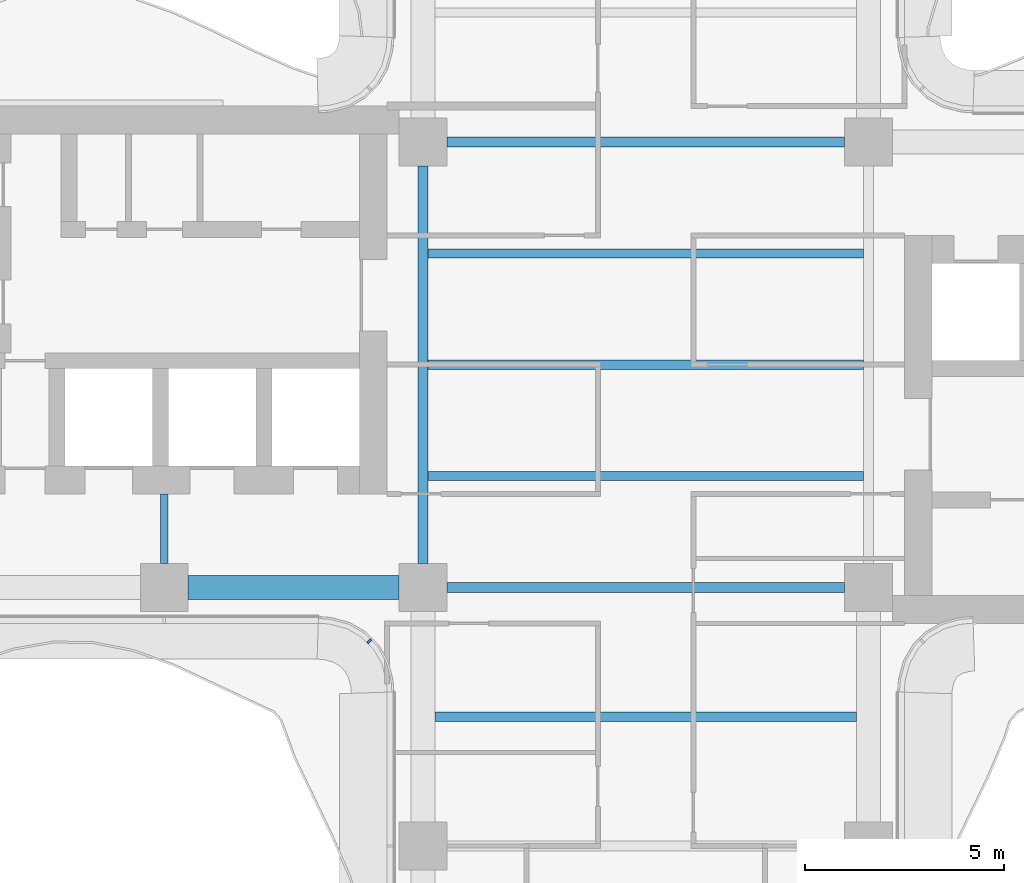
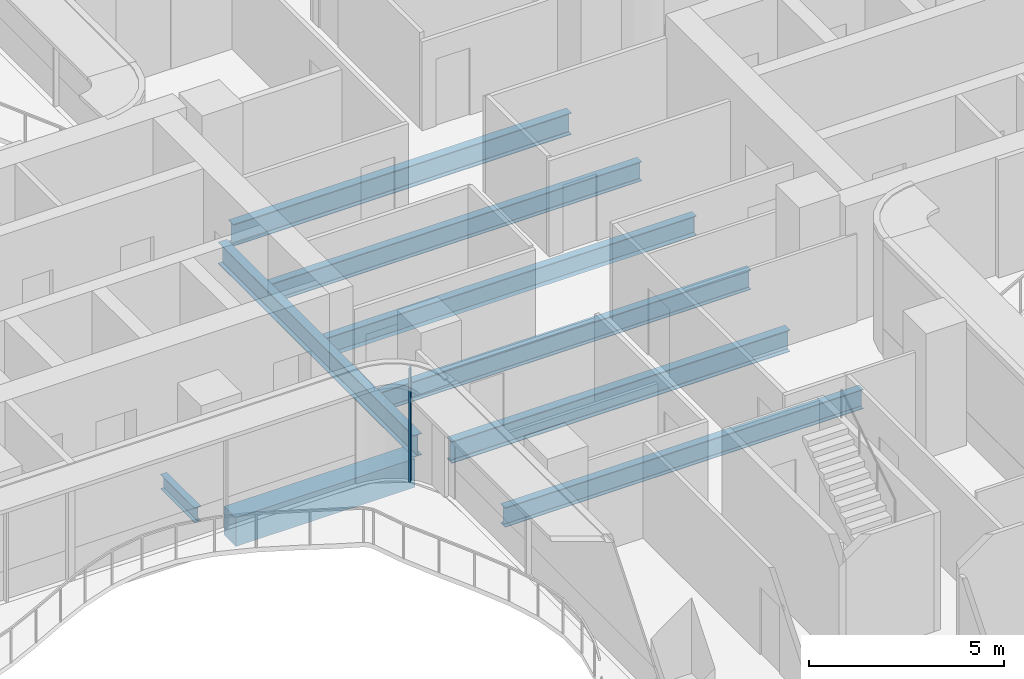
# One storey, part 4 of 18: 9 beams, 1 member, 1 element without a shape of its own.
"""IFC4 building model written with IfcOpenShell, lengths in metres."""

import ifcopenshell
import ifcopenshell.guid

model = None  # the IFC model being written
_history = None  # IfcOwnerHistory: only IFC2X3 demands one
_inside = {}  # id of a spatial element -> (the spatial element, [elements in it])
_under = {}  # id of a project, library or spatial element -> (it, [spatial elements below it])
_declared = {}  # id of a project -> (the project, [libraries it declares])
_typed = {}  # id of a type object -> (the type object, [elements of that type])
_made_of = {}  # id of a material, layer set ... -> (it, [elements and type objects made of it])


def new_model(schema):
    """Start an empty IFC model of exactly this schema.

    Asked for "IFC4X3", IfcOpenShell would pick the latest addendum, in which some entities
    have other attributes; the version numbers below select the first issue.
    IFC2X3 requires an IfcOwnerHistory on every rooted entity: one is made here for all.
    """
    global model, _history
    if schema == "IFC4X3":
        model = ifcopenshell.file(schema_version=(4, 3, 0, 0))
    else:
        model = ifcopenshell.file(schema=schema)
    _inside.clear()
    _under.clear()
    _declared.clear()
    _typed.clear()
    _made_of.clear()
    _history = None
    if model.schema == "IFC2X3":
        org = make("IfcOrganization", Name="unknown")
        user = make(
            "IfcPersonAndOrganization",
            ThePerson=make("IfcPerson", FamilyName="unknown"),
            TheOrganization=org,
        )
        app = make(
            "IfcApplication",
            ApplicationDeveloper=org,
            Version="unknown",
            ApplicationFullName="unknown",
            ApplicationIdentifier="unknown",
        )
        _history = make(
            "IfcOwnerHistory",
            OwningUser=user,
            OwningApplication=app,
            ChangeAction="ADDED",
            CreationDate=0,
        )
    return model


def make(cls, **values):
    """One entity of the class cls with the attributes given. An attribute that is None is left unset."""
    return model.create_entity(
        cls, **{name: value for name, value in values.items() if value is not None}
    )


def rooted(cls, **values):
    """An entity with a GlobalId (a new one), such as an element, a storey or a relation."""
    return make(cls, GlobalId=ifcopenshell.guid.new(), OwnerHistory=_history, **values)


def si_unit(unit_type, name, prefix=None):
    """IfcSIUnit, for example si_unit("LENGTHUNIT", "METRE", prefix="MILLI")."""
    return make("IfcSIUnit", UnitType=unit_type, Prefix=prefix, Name=name)


def assignment(units):
    """IfcUnitAssignment: the units of a project."""
    return None if units is None else make("IfcUnitAssignment", Units=units)


def point(xyz):
    """IfcCartesianPoint."""
    return None if xyz is None else make("IfcCartesianPoint", Coordinates=xyz)


def direction(xyz):
    """IfcDirection."""
    return None if xyz is None else make("IfcDirection", DirectionRatios=xyz)


def frame(location, z_axis=None, x_axis=None):
    """IfcAxis2Placement3D, a coordinate frame: its origin and axes. An axis left out is left unset."""
    return make(
        "IfcAxis2Placement3D",
        Location=point(location),
        Axis=direction(z_axis),
        RefDirection=direction(x_axis),
    )


def frame_2d(location, x_axis=None):
    """IfcAxis2Placement2D, a coordinate frame in the plane: its origin and x axis."""
    return make(
        "IfcAxis2Placement2D", Location=point(location), RefDirection=direction(x_axis)
    )


def origin():
    """The frame at (0, 0, 0) with its axes left unset."""
    return frame((0.0, 0.0, 0.0))


def origin_2d():
    """The frame at (0, 0) in the plane with its x axis left unset."""
    return frame_2d((0.0, 0.0))


def place(relative_to, where):
    """IfcLocalPlacement: puts the frame where relative to a parent placement (None: the world)."""
    return make(
        "IfcLocalPlacement", PlacementRelTo=relative_to, RelativePlacement=where
    )


def context(
    kind, dimensions, precision=None, world=None, true_north=None, identifier=None
):
    """IfcGeometricRepresentationContext, for example the 3D "Model" context."""
    return make(
        "IfcGeometricRepresentationContext",
        ContextIdentifier=identifier,
        ContextType=kind,
        CoordinateSpaceDimension=dimensions,
        Precision=precision,
        WorldCoordinateSystem=world,
        TrueNorth=true_north,
    )


def subcontext(parent, identifier, kind, view, scale=None):
    """IfcGeometricRepresentationSubContext, for example "Body" below "Model"."""
    return make(
        "IfcGeometricRepresentationSubContext",
        ContextIdentifier=identifier,
        ContextType=kind,
        ParentContext=parent,
        TargetScale=scale,
        TargetView=view,
    )


def project(units=None, contexts=None):
    """IfcProject with its units and contexts."""
    return rooted(
        "IfcProject",
        Name="project",
        RepresentationContexts=contexts,
        UnitsInContext=assignment(units),
    )


def spatial(cls, under=None, at=None, **own):
    """A site, building, storey or space (cls), placed at a placement, below another one or the project."""
    s = rooted(cls, ObjectPlacement=at, **own)
    if under is not None:
        _under.setdefault(under.id(), (under, []))[1].append(s)
    return s


def profile(cls, at=None, kind="AREA", **sizes):
    """A parametric profile (cls). Its sizes go by their IFC names, for example OverallWidth=200.0."""
    return make(cls, ProfileType=kind, Position=at, **sizes)


def rectangle(**sizes):
    """IfcRectangleProfileDef."""
    return profile("IfcRectangleProfileDef", **sizes)


def i_section(**sizes):
    """IfcIShapeProfileDef."""
    return profile("IfcIShapeProfileDef", **sizes)


def extrude(swept, where, along, depth):
    """IfcExtrudedAreaSolid: the profile swept, set in the frame where, extruded along a direction by depth."""
    return make(
        "IfcExtrudedAreaSolid",
        SweptArea=swept,
        Position=where,
        ExtrudedDirection=direction(along),
        Depth=depth,
    )


def shape(context_of_items, identifier, shape_type, items):
    """IfcShapeRepresentation: the items that make up one representation, for example the "Body"."""
    return make(
        "IfcShapeRepresentation",
        ContextOfItems=context_of_items,
        RepresentationIdentifier=identifier,
        RepresentationType=shape_type,
        Items=items,
    )


def source(mapping_origin, context_of_items, identifier, shape_type, items):
    """IfcRepresentationMap: a shape defined once, which mapped items show again and again."""
    return make(
        "IfcRepresentationMap",
        MappingOrigin=mapping_origin,
        MappedRepresentation=shape(context_of_items, identifier, shape_type, items),
    )


def transform(
    local_origin,
    x_axis=None,
    y_axis=None,
    z_axis=None,
    scale=None,
    scale2=None,
    scale3=None,
    uniform=True,
):
    """IfcCartesianTransformationOperator3D, or its non-uniform kind. x_axis, y_axis, z_axis: its Axis1, 2, 3."""
    if uniform:
        return make(
            "IfcCartesianTransformationOperator3D",
            Axis1=direction(x_axis),
            Axis2=direction(y_axis),
            LocalOrigin=point(local_origin),
            Scale=scale,
            Axis3=direction(z_axis),
        )
    return make(
        "IfcCartesianTransformationOperator3DnonUniform",
        Axis1=direction(x_axis),
        Axis2=direction(y_axis),
        LocalOrigin=point(local_origin),
        Scale=scale,
        Axis3=direction(z_axis),
        Scale2=scale2,
        Scale3=scale3,
    )


def mapped(mapping_source, mapping_target):
    """IfcMappedItem: shows the shape of a source again, moved by a transform."""
    return make(
        "IfcMappedItem", MappingSource=mapping_source, MappingTarget=mapping_target
    )


def material(Name=None, Category=None):
    """IfcMaterial."""
    return make("IfcMaterial", Name=Name, Category=Category)


def layer(
    of_material, thickness, ventilated=None, Name=None, Category=None, Priority=None
):
    """IfcMaterialLayer: one layer of a wall or slab, of a material (None: an air gap)."""
    return make(
        "IfcMaterialLayer",
        Material=of_material,
        LayerThickness=thickness,
        IsVentilated=ventilated,
        Name=Name,
        Category=Category,
        Priority=Priority,
    )


def layer_set(layers, Name=None):
    """IfcMaterialLayerSet."""
    return make("IfcMaterialLayerSet", MaterialLayers=layers, LayerSetName=Name)


def material_profile(
    of_material, cross_section, Name=None, Category=None, Priority=None
):
    """IfcMaterialProfile: a cross section and its material."""
    return make(
        "IfcMaterialProfile",
        Name=Name,
        Material=of_material,
        Profile=cross_section,
        Priority=Priority,
        Category=Category,
    )


def profile_set(profiles, Name=None, composite=None):
    """IfcMaterialProfileSet."""
    return make(
        "IfcMaterialProfileSet",
        Name=Name,
        MaterialProfiles=profiles,
        CompositeProfile=composite,
    )


def made_of(thing, what):
    """Note that an element or type object is made of a material, layer set ...; save() writes the relation."""
    if what is not None:
        _made_of.setdefault(what.id(), (what, []))[1].append(thing)
    return thing


def type_object(cls, material=None, **own):
    """A type object (cls), such as IfcWallType, which elements share."""
    return made_of(rooted(cls, **own), material)


def element(
    cls,
    number,
    at=None,
    inside=None,
    cuts=None,
    type_object=None,
    material=None,
    context=None,
    identifier="Body",
    shape_type=None,
    held_by="IfcProductDefinitionShape",
    body=None,
    shapes=None,
    **own,
):
    """One element of the class cls, such as IfcWall. Its Tag is "e" and its number.

    at: its placement. inside: the storey or other place that contains it. cuts: it is an
    opening in that element (IfcRelVoidsElement). A single representation is given by context,
    identifier, shape_type and body (its items); several are given by shapes. held_by: the class
    of the entity that holds the representations. save() writes the other relations.
    """
    e = rooted(cls, Tag="e%d" % number, ObjectPlacement=at, **own)
    if body is not None:
        shapes = [shape(context, identifier, shape_type, body)]
    if shapes is not None:
        e.Representation = make(held_by, Representations=shapes)
    if inside is not None:
        _inside.setdefault(inside.id(), (inside, []))[1].append(e)
    if cuts is not None:
        rooted(
            "IfcRelVoidsElement", RelatingBuildingElement=cuts, RelatedOpeningElement=e
        )
    if type_object is not None:
        _typed.setdefault(type_object.id(), (type_object, []))[1].append(e)
    return made_of(e, material)


def aggregate(whole, parts):
    """IfcRelAggregates: a whole, such as a stair, and the parts it consists of."""
    return rooted("IfcRelAggregates", RelatingObject=whole, RelatedObjects=parts)


def save(model, path):
    """Write the relations noted so far, then the file.

    IfcRelAggregates (storeys below a building ...), IfcRelContainedInSpatialStructure (elements
    in a storey), IfcRelDefinesByType, IfcRelAssociatesMaterial and IfcRelDeclares: one each for
    every whole, place, type object, material and project.
    """
    for whole, parts in _under.values():
        aggregate(whole, parts)
    for where, things in _inside.values():
        rooted(
            "IfcRelContainedInSpatialStructure",
            RelatedElements=things,
            RelatingStructure=where,
        )
    for kind, things in _typed.values():
        rooted("IfcRelDefinesByType", RelatedObjects=things, RelatingType=kind)
    for what, things in _made_of.values():
        rooted("IfcRelAssociatesMaterial", RelatedObjects=things, RelatingMaterial=what)
    for by, libraries in _declared.values():
        rooted("IfcRelDeclares", RelatingContext=by, RelatedDefinitions=libraries)
    model.write(path)


model = new_model("IFC4")

# Units and contexts
model_context = context("Model", 3, precision=1e-05, world=origin(), true_north=direction((0.0, 1.0)))
body_context = subcontext(model_context, "Body", "Model", "MODEL_VIEW")
ifc_project = project(units=[si_unit("LENGTHUNIT", "METRE"), si_unit("AREAUNIT", "SQUARE_METRE"), si_unit("VOLUMEUNIT", "CUBIC_METRE"), si_unit("PLANEANGLEUNIT", "RADIAN"), si_unit("MASSUNIT", "GRAM", prefix="KILO")], contexts=[model_context])

# Site, building, storey
site_placement = place(None, origin())
site = spatial("IfcSite", under=ifc_project, at=site_placement, CompositionType="ELEMENT")
building_placement = place(site_placement, origin())
building = spatial("IfcBuilding", under=site, at=building_placement, Name="Trellis Farm Tower", CompositionType="ELEMENT")
storey_placement = place(building_placement, frame((0.0, 0.0, 177.60009765625)))
storey = spatial("IfcBuildingStorey", under=building, at=storey_placement, Name="L38", CompositionType="ELEMENT", Elevation=177.60009765625)

# Beams
ifc_material_1 = material(Name="Concrete C60/75", Category="concrete")
ifc_material_profile_1 = material_profile(ifc_material_1, rectangle(XDim=0.60009765625, YDim=0.89990234375, at=origin_2d()), Name="RC spandrel beam 600x900 C60/75")
ifc_profile_set_1 = profile_set([ifc_material_profile_1], Name="Concrete C60/75")
beam_type_1 = type_object("IfcBeamType", Name="RC spandrel beam 600x900 C60/75", PredefinedType="SPANDREL", material=ifc_profile_set_1)
shared_shape_1 = source(origin(), body_context, "Body", "SweptSolid", [
    extrude(rectangle(XDim=0.60009765625, YDim=0.89990234375, at=origin_2d()), origin(), (0.0, 0.0, 1.0), 5.300048828125),
])
beam_1_placement = place(storey_placement, frame((-11.5, -5.60009765625, -0.650146484375), z_axis=(1.0, 0.0, 0.0), x_axis=(0.0, 1.0, 0.0)))
element("IfcBeam", 1, at=beam_1_placement, inside=storey, type_object=beam_type_1, Name="Girder", PredefinedType="SPANDREL", context=body_context, shape_type="MappedRepresentation", body=[
    mapped(shared_shape_1, transform((0.0, 0.0, 0.0))),
])
ifc_material_2 = material(Name="Steel S355", Category="steel")
ifc_material_profile_2 = material_profile(ifc_material_2, i_section(OverallWidth=0.253662109375, OverallDepth=0.68359375, WebThickness=0.012451171875, FlangeThickness=0.021728515625, FilletRadius=0.01513671875, at=origin_2d()), Name="UB 686x254x140")
ifc_profile_set_2 = profile_set([ifc_material_profile_2], Name="Steel S355")
beam_type_2 = type_object("IfcBeamType", Name="UB 686x254x140", PredefinedType="BEAM", material=ifc_profile_set_2)
shared_shape_2 = source(origin(), body_context, "Body", "SweptSolid", [
    extrude(i_section(OverallWidth=0.253662109375, OverallDepth=0.68359375, WebThickness=0.012451171875, FlangeThickness=0.021728515625, FilletRadius=0.01513671875, at=origin_2d()), origin(), (0.0, 0.0, 1.0), 10.0),
])
for number, where, z_axis, x_axis, name in (
    (2, (-5.0, -5.60009765625, -0.541748046875), (1.0, 0.0, 0.0), (0.0, 1.0, 0.0), "Girder"),
    (3, (-5.0, 5.60009765625, -0.541748046875), (1.0, 0.0, 0.0), (0.0, 1.0, 0.0), "Girder"),
    (4, (-5.60009765625, -5.0, -0.541748046875), (0.0, 1.0, 0.0), (-1.0, 0.0, 0.0), "Girder"),
):
    element("IfcBeam", number, at=place(storey_placement, frame(where, z_axis=z_axis, x_axis=x_axis)), inside=storey, type_object=beam_type_2, Name=name, PredefinedType="BEAM", context=body_context, shape_type="MappedRepresentation", body=[
        mapped(shared_shape_2, transform((0.0, 0.0, 0.0))),
    ])
ifc_material_profile_3 = material_profile(ifc_material_2, i_section(OverallWidth=0.1904296875, OverallDepth=0.45703125, WebThickness=0.009033203125, FlangeThickness=0.014404296875, FilletRadius=0.01025390625, at=origin_2d()), Name="UB 457x191x74")
ifc_profile_set_3 = profile_set([ifc_material_profile_3], Name="Steel S355")
beam_type_3 = type_object("IfcBeamType", Name="UB 457x191x74", PredefinedType="BEAM", material=ifc_profile_set_3)
shared_shape_3 = source(origin(), body_context, "Body", "SweptSolid", [
    extrude(i_section(OverallWidth=0.1904296875, OverallDepth=0.45703125, WebThickness=0.009033203125, FlangeThickness=0.014404296875, FilletRadius=0.01025390625, at=origin_2d()), origin(), (0.0, 0.0, 1.0), 1.75),
])
beam_2_placement = place(storey_placement, frame((-12.10009765625, -5.0, -0.4287109375), z_axis=(0.0, 1.0, 0.0), x_axis=(-1.0, 0.0, 0.0)))
element("IfcBeam", 5, at=beam_2_placement, inside=storey, type_object=beam_type_3, Name="Girder", PredefinedType="BEAM", context=body_context, shape_type="MappedRepresentation", body=[
    mapped(shared_shape_3, transform((0.0, 0.0, 0.0))),
])
ifc_material_profile_4 = material_profile(ifc_material_2, i_section(OverallWidth=0.22900390625, OverallDepth=0.6123046875, WebThickness=0.011962890625, FlangeThickness=0.01953125, FilletRadius=0.0126953125, at=origin_2d()), Name="UB 610x229x125")
ifc_profile_set_4 = profile_set([ifc_material_profile_4], Name="Steel S355")
beam_type_4 = type_object("IfcBeamType", Name="UB 610x229x125 joist", PredefinedType="JOIST", material=ifc_profile_set_4)
shared_shape_4 = source(origin(), body_context, "Body", "SweptSolid", [
    extrude(i_section(OverallWidth=0.22900390625, OverallDepth=0.6123046875, WebThickness=0.011962890625, FlangeThickness=0.01953125, FilletRadius=0.0126953125, at=origin_2d()), origin(), (0.0, 0.0, 1.0), 10.9462890625),
])
for number, where, z_axis, x_axis, name in (
    (6, (-5.47314453125, -2.800048828125, -0.506103515625), (1.0, 0.0, 0.0), (0.0, 1.0, 0.0), "Floor beam"),
    (7, (-5.47314453125, 0.0, -0.506103515625), (1.0, 0.0, 0.0), (0.0, 1.0, 0.0), "Floor beam"),
    (8, (-5.47314453125, 2.800048828125, -0.506103515625), (1.0, 0.0, 0.0), (0.0, 1.0, 0.0), "Floor beam"),
):
    element("IfcBeam", number, at=place(storey_placement, frame(where, z_axis=z_axis, x_axis=x_axis)), inside=storey, type_object=beam_type_4, Name=name, PredefinedType="JOIST", context=body_context, shape_type="MappedRepresentation", body=[
        mapped(shared_shape_4, transform((0.0, 0.0, 0.0))),
    ])
shared_shape_5 = source(origin(), body_context, "Body", "SweptSolid", [
    extrude(i_section(OverallWidth=0.22900390625, OverallDepth=0.6123046875, WebThickness=0.011962890625, FlangeThickness=0.01953125, FilletRadius=0.0126953125, at=origin_2d()), origin(), (0.0, 0.0, 1.0), 10.60009765625),
])
beam_3_placement = place(storey_placement, frame((-5.300048828125, -8.85009765625, -0.506103515625), z_axis=(1.0, 0.0, 0.0), x_axis=(0.0, 1.0, 0.0)))
element("IfcBeam", 9, at=beam_3_placement, inside=storey, type_object=beam_type_4, Name="Floor beam", PredefinedType="JOIST", context=body_context, shape_type="MappedRepresentation", body=[
    mapped(shared_shape_5, transform((0.0, 0.0, 0.0))),
])

# Curtain wall, member
ifc_material_3 = material(Name="Aluminium and glass curtain wall", Category="aluminium")
ifc_layer = layer(ifc_material_3, 0.166015625)
ifc_layer_set = layer_set([ifc_layer], Name="WINTER GARDEN CURTAIN WALL CW3")
curtain_wall_type = type_object("IfcCurtainWallType", Name="WINTER GARDEN CURTAIN WALL CW3", PredefinedType="NOTDEFINED", material=ifc_layer_set)
curtain_wall_placement = place(storey_placement, origin())
curtain_wall = element("IfcCurtainWall", 10, at=curtain_wall_placement, inside=storey, type_object=curtain_wall_type, Name="CW3 001", PredefinedType="NOTDEFINED")
ifc_material_4 = material(Name="Aluminium extrusion 6063-T6", Category="aluminium")
ifc_material_profile_5 = material_profile(ifc_material_4, rectangle(XDim=0.050048828125, YDim=0.1201171875, at=origin_2d()), Name="MULLION 50x120")
ifc_profile_set_5 = profile_set([ifc_material_profile_5], Name="Aluminium extrusion 6063-T6")
member_type = type_object("IfcMemberType", Name="CW3 MULLION 50x120", PredefinedType="MULLION", material=ifc_profile_set_5)
shared_shape_6 = source(origin(), body_context, "Body", "SweptSolid", [
    extrude(rectangle(XDim=0.050048828125, YDim=0.1201171875, at=origin_2d()), origin(), (0.0, 0.0, 1.0), 3.5498046875),
])
member_placement = place(storey_placement, frame((-6.953125, -6.953125, 0.0), z_axis=(0.0, 0.0, 1.0), x_axis=(0.707106781187, -0.707106781187, 0.0)))
member = element("IfcMember", 11, at=member_placement, type_object=member_type, Name="MU3 001-01", PredefinedType="MULLION", context=body_context, shape_type="MappedRepresentation", body=[
    mapped(shared_shape_6, transform((0.0, 0.0, 0.0))),
])
aggregate(curtain_wall, [member])

save(model, "model.ifc")
